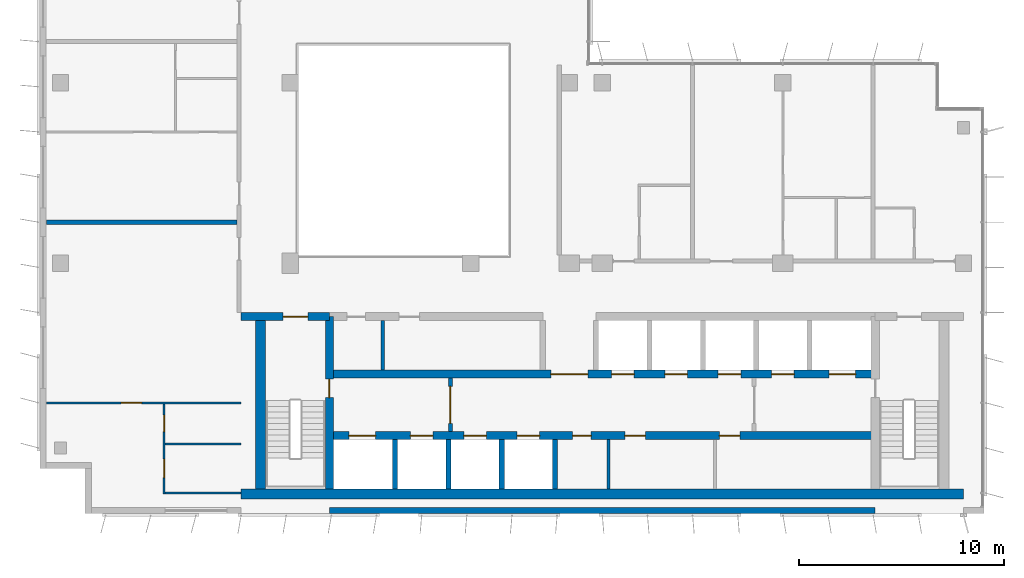
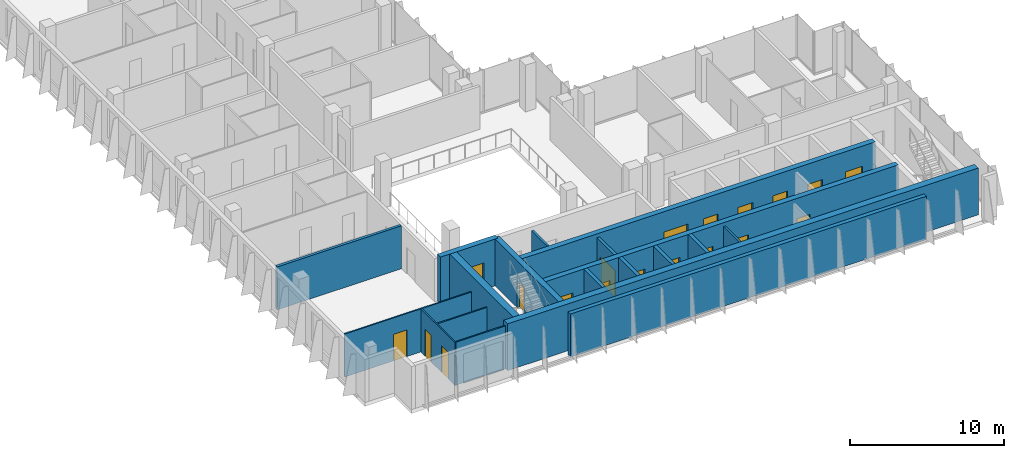
# One storey, part 9 of 16: 19 doors, 19 walls, 19 openings.
"""IFC4 building model written with IfcOpenShell, lengths in metres."""

from ifc_helpers import new_model, si_unit, direction, frame, frame_2d, origin, place, context, subcontext, project, spatial, rectangle, extrude, material, layer, layer_set, type_object, element, fill, save


model = new_model("IFC4")

# Units and contexts
model_context = context("Model", 3, precision=1e-05, world=origin(), true_north=direction((0.0, 1.0)))
body_context = subcontext(model_context, "Body", "Model", "MODEL_VIEW")
ifc_project = project(units=[si_unit("LENGTHUNIT", "METRE"), si_unit("AREAUNIT", "SQUARE_METRE"), si_unit("VOLUMEUNIT", "CUBIC_METRE"), si_unit("PLANEANGLEUNIT", "RADIAN"), si_unit("MASSUNIT", "GRAM", prefix="KILO")], contexts=[model_context])

# Site, building, storey
site_placement = place(None, origin())
site = spatial("IfcSite", under=ifc_project, at=site_placement, CompositionType="ELEMENT")
building_placement = place(site_placement, origin())
building = spatial("IfcBuilding", under=site, at=building_placement, Name="Kemantara Hotel Tower", CompositionType="ELEMENT")
storey_placement = place(building_placement, frame((0.0, 0.0, 287.0)))
storey = spatial("IfcBuildingStorey", under=building, at=storey_placement, Name="L72", CompositionType="ELEMENT", Elevation=287.0)

# Walls
ifc_material_1 = material(Name="Bronze anodised aluminium cladding on insulated steel stud wall", Category="steel")
ifc_layer_1 = layer(ifc_material_1, 0.300048828125)
ifc_layer_set_1 = layer_set([ifc_layer_1], Name="Bronze anodised aluminium cladding on insulated steel stud wall")
wall_type_1 = type_object("IfcWallType", Name="BRONZE METAL-CLAD EXTERNAL WALL 300", PredefinedType="STANDARD", material=ifc_layer_set_1)
wall_1_placement = place(storey_placement, frame((14.10009765625, 0.14990234375, 0.0), z_axis=(0.0, 0.0, 1.0), x_axis=(1.0, 0.0, 0.0)))
element("IfcWall", 1, at=wall_1_placement, inside=storey, type_object=wall_type_1, Name="EXTERNAL WALL L72 T4-R08-2", PredefinedType="STANDARD", context=body_context, shape_type="SweptSolid", body=[
    extrude(rectangle(XDim=26.599853515625, YDim=0.300048828125, at=frame_2d((13.2998046875, 0.0))), origin(), (0.0, 0.0, 1.0), 3.39990234375),
])
ifc_material_2 = material(Name="Concrete fc 50 MPa", Category="concrete")
ifc_layer_2 = layer(ifc_material_2, 0.25)
ifc_layer_set_2 = layer_set([ifc_layer_2], Name="Concrete fc 50 MPa")
wall_type_2 = type_object("IfcWallType", Name="CORE WALL 250 FC50", PredefinedType="SHEAR", material=ifc_layer_set_2)
for number, where, z_axis, x_axis, name in (
    (2, (17.300048828125, 1.199951171875, 0.0), (0.0, 0.0, 1.0), (0.0, 1.0, 0.0), "CORE WALL CW-DS17.3"),
    (3, (19.89990234375, 1.199951171875, 0.0), (0.0, 0.0, 1.0), (0.0, 1.0, 0.0), "CORE WALL CW-DS19.9"),
    (4, (22.5, 1.199951171875, 0.0), (0.0, 0.0, 1.0), (0.0, 1.0, 0.0), "CORE WALL CW-DS22.5"),
    (5, (25.10009765625, 1.199951171875, 0.0), (0.0, 0.0, 1.0), (0.0, 1.0, 0.0), "CORE WALL CW-DS25.1"),
):
    element("IfcWall", number, at=place(storey_placement, frame(where, z_axis=z_axis, x_axis=x_axis)), inside=storey, type_object=wall_type_2, Name=name, PredefinedType="SHEAR", context=body_context, shape_type="SweptSolid", body=[
        extrude(rectangle(XDim=2.400146484375, YDim=0.25, at=frame_2d((1.2001953125, 0.0))), origin(), (0.0, 0.0, 1.0), 3.699951171875),
    ])

# Wall, opening, door
ifc_layer_3 = layer(ifc_material_2, 0.39990234375)
ifc_layer_set_3 = layer_set([ifc_layer_3], Name="Concrete fc 50 MPa")
wall_type_3 = type_object("IfcWallType", Name="CORE WALL 400 FC50", PredefinedType="SHEAR", material=ifc_layer_set_3)
wall_2_placement = place(storey_placement, frame((9.800048828125, 9.60009765625, 0.0), z_axis=(0.0, 0.0, 1.0), x_axis=(1.0, 0.0, 0.0)))
wall_2 = element("IfcWall", 6, at=wall_2_placement, inside=storey, type_object=wall_type_3, Name="CORE WALL CW-N1", PredefinedType="SHEAR", context=body_context, shape_type="SweptSolid", body=[
    extrude(rectangle(XDim=4.300048828125, YDim=0.39990234375, at=frame_2d((2.14990234375, 0.0))), origin(), (0.0, 0.0, 1.0), 3.699951171875),
])
opening_1_placement = place(wall_2_placement, frame((2.050048828125, 0.0, 0.0)))
opening_1 = element("IfcOpeningElement", 7, at=opening_1_placement, cuts=wall_2, Name="Opening C41-ST1-C", PredefinedType="OPENING", context=body_context, shape_type="SweptSolid", body=[
    extrude(rectangle(XDim=1.199951171875, YDim=2.10009765625, at=frame_2d((0.60009765625, 1.050048828125))), frame((0.0, 0.2099609375, 0.0), z_axis=(0.0, -1.0, 0.0), x_axis=(1.0, 0.0, 0.0)), (0.0, 0.0, 1.0), 0.419921875),
])
ifc_material_3 = material(Name="Steel fire door", Category="steel")
door_type_1 = type_object("IfcDoorType", Name="Fire door FD90 1200 x 2100", OperationType="NOTDEFINED", PredefinedType="DOOR", material=ifc_material_3)
door_1_placement = place(opening_1_placement, frame((1.199951171875, 0.0, 0.0), z_axis=(0.0, 0.0, 1.0), x_axis=(-1.0, 0.0, 0.0)))
door_1 = element("IfcDoor", 8, at=door_1_placement, inside=storey, type_object=door_type_1, Name="Stair ST1 door to corridor", OperationType="SINGLE_SWING_LEFT", OverallHeight=2.10009765625, OverallWidth=1.199951171875, PredefinedType="DOOR", context=body_context, shape_type="SweptSolid", body=[
    extrude(rectangle(XDim=1.199951171875, YDim=2.10009765625, at=frame_2d((0.60009765625, 1.050048828125))), frame((0.0, 0.02490234375, 0.0), z_axis=(0.0, -1.0, 0.0), x_axis=(1.0, 0.0, 0.0)), (0.0, 0.0, 1.0), 0.050048828125),
])
fill(opening_1, door_1)

# Wall, openings, doors
wall_3_placement = place(storey_placement, frame((14.10009765625, 3.800048828125, 0.0), z_axis=(0.0, 0.0, 1.0), x_axis=(1.0, 0.0, 0.0)))
wall_3 = element("IfcWall", 9, at=wall_3_placement, inside=storey, type_object=wall_type_3, Name="CORE WALL CW-L1", PredefinedType="SHEAR", context=body_context, shape_type="SweptSolid", body=[
    extrude(rectangle(XDim=26.599853515625, YDim=0.39990234375, at=frame_2d((13.2998046875, 0.0))), origin(), (0.0, 0.0, 1.0), 3.699951171875),
])
opening_2_placement = place(wall_3_placement, frame((0.949951171875, 0.0, 0.0)))
opening_2 = element("IfcOpeningElement", 10, at=opening_2_placement, cuts=wall_3, Name="Opening C41-LD-FF1", PredefinedType="OPENING", context=body_context, shape_type="SweptSolid", body=[
    extrude(rectangle(XDim=1.300048828125, YDim=2.10009765625, at=frame_2d((0.64990234375, 1.050048828125))), frame((0.0, 0.2099609375, 0.0), z_axis=(0.0, -1.0, 0.0), x_axis=(1.0, 0.0, 0.0)), (0.0, 0.0, 1.0), 0.419921875),
])
opening_3_placement = place(wall_3_placement, frame((3.949951171875, 0.0, 0.0)))
opening_3 = element("IfcOpeningElement", 11, at=opening_3_placement, cuts=wall_3, Name="Opening C41-LD-SV1", PredefinedType="OPENING", context=body_context, shape_type="SweptSolid", body=[
    extrude(rectangle(XDim=1.10009765625, YDim=2.10009765625, at=frame_2d((0.550048828125, 1.050048828125))), frame((0.0, 0.2099609375, 0.0), z_axis=(0.0, -1.0, 0.0), x_axis=(1.0, 0.0, 0.0)), (0.0, 0.0, 1.0), 0.419921875),
])
opening_4_placement = place(wall_3_placement, frame((6.550048828125, 0.0, 0.0)))
opening_4 = element("IfcOpeningElement", 12, at=opening_4_placement, cuts=wall_3, Name="Opening C41-LD-SV2", PredefinedType="OPENING", context=body_context, shape_type="SweptSolid", body=[
    extrude(rectangle(XDim=1.10009765625, YDim=2.10009765625, at=frame_2d((0.550048828125, 1.050048828125))), frame((0.0, 0.2099609375, 0.0), z_axis=(0.0, -1.0, 0.0), x_axis=(1.0, 0.0, 0.0)), (0.0, 0.0, 1.0), 0.419921875),
])
opening_5_placement = place(wall_3_placement, frame((9.14990234375, 0.0, 0.0)))
opening_5 = element("IfcOpeningElement", 13, at=opening_5_placement, cuts=wall_3, Name="Opening C41-LD-SV3", PredefinedType="OPENING", context=body_context, shape_type="SweptSolid", body=[
    extrude(rectangle(XDim=1.10009765625, YDim=2.10009765625, at=frame_2d((0.550048828125, 1.050048828125))), frame((0.0, 0.2099609375, 0.0), z_axis=(0.0, -1.0, 0.0), x_axis=(1.0, 0.0, 0.0)), (0.0, 0.0, 1.0), 0.419921875),
])
opening_6_placement = place(wall_3_placement, frame((11.85009765625, 0.0, 0.0)))
opening_6 = element("IfcOpeningElement", 14, at=opening_6_placement, cuts=wall_3, Name="Opening C41-R-SM1", PredefinedType="OPENING", context=body_context, shape_type="SweptSolid", body=[
    extrude(rectangle(XDim=0.89990234375, YDim=2.10009765625, at=frame_2d((0.449951171875, 1.050048828125))), frame((0.0, 0.2099609375, 0.0), z_axis=(0.0, -1.0, 0.0), x_axis=(1.0, 0.0, 0.0)), (0.0, 0.0, 1.0), 0.419921875),
])
opening_7_placement = place(wall_3_placement, frame((14.39990234375, 0.0, 0.0)))
opening_7 = element("IfcOpeningElement", 15, at=opening_7_placement, cuts=wall_3, Name="Opening C41-R-SM2", PredefinedType="OPENING", context=body_context, shape_type="SweptSolid", body=[
    extrude(rectangle(XDim=1.0, YDim=2.10009765625, at=frame_2d((0.5, 1.050048828125))), frame((0.0, 0.2099609375, 0.0), z_axis=(0.0, -1.0, 0.0), x_axis=(1.0, 0.0, 0.0)), (0.0, 0.0, 1.0), 0.419921875),
])
opening_8_placement = place(wall_3_placement, frame((19.0, 0.0, 0.0)))
opening_8 = element("IfcOpeningElement", 16, at=opening_8_placement, cuts=wall_3, Name="Opening C41-R-SM3", PredefinedType="OPENING", context=body_context, shape_type="SweptSolid", body=[
    extrude(rectangle(XDim=1.0, YDim=2.10009765625, at=frame_2d((0.5, 1.050048828125))), frame((0.0, 0.2099609375, 0.0), z_axis=(0.0, -1.0, 0.0), x_axis=(1.0, 0.0, 0.0)), (0.0, 0.0, 1.0), 0.419921875),
])
door_type_2 = type_object("IfcDoorType", Name="Fire door FD30S 1000 x 2100", OperationType="NOTDEFINED", PredefinedType="DOOR", material=ifc_material_3)
door_2_placement = place(opening_7_placement, frame((1.0, 0.0, 0.0), z_axis=(0.0, 0.0, 1.0), x_axis=(-1.0, 0.0, 0.0)))
door_2 = element("IfcDoor", 17, at=door_2_placement, inside=storey, type_object=door_type_2, Name="Staff Lounge door", OperationType="SINGLE_SWING_LEFT", OverallHeight=2.10009765625, OverallWidth=1.0, PredefinedType="DOOR", context=body_context, shape_type="SweptSolid", body=[
    extrude(rectangle(XDim=1.0, YDim=2.10009765625, at=frame_2d((0.5, 1.050048828125))), frame((0.0, 0.02490234375, 0.0), z_axis=(0.0, -1.0, 0.0), x_axis=(1.0, 0.0, 0.0)), (0.0, 0.0, 1.0), 0.050048828125),
])
fill(opening_7, door_2)
door_3_placement = place(opening_8_placement, frame((1.0, 0.0, 0.0), z_axis=(0.0, 0.0, 1.0), x_axis=(-1.0, 0.0, 0.0)))
door_3 = element("IfcDoor", 18, at=door_3_placement, inside=storey, type_object=door_type_2, Name="Linen Store door", OperationType="SINGLE_SWING_LEFT", OverallHeight=2.10009765625, OverallWidth=1.0, PredefinedType="DOOR", context=body_context, shape_type="SweptSolid", body=[
    extrude(rectangle(XDim=1.0, YDim=2.10009765625, at=frame_2d((0.5, 1.050048828125))), frame((0.0, 0.02490234375, 0.0), z_axis=(0.0, -1.0, 0.0), x_axis=(1.0, 0.0, 0.0)), (0.0, 0.0, 1.0), 0.050048828125),
])
fill(opening_8, door_3)
door_type_3 = type_object("IfcDoorType", Name="Fire door FD60 900 x 2100", OperationType="NOTDEFINED", PredefinedType="DOOR", material=ifc_material_3)
door_4_placement = place(opening_6_placement, frame((0.89990234375, 0.0, 0.0), z_axis=(0.0, 0.0, 1.0), x_axis=(-1.0, 0.0, 0.0)))
door_4 = element("IfcDoor", 19, at=door_4_placement, inside=storey, type_object=door_type_3, Name="Electrical Riser Room door", OperationType="SINGLE_SWING_RIGHT", OverallHeight=2.10009765625, OverallWidth=0.89990234375, PredefinedType="DOOR", context=body_context, shape_type="SweptSolid", body=[
    extrude(rectangle(XDim=0.89990234375, YDim=2.10009765625, at=frame_2d((0.449951171875, 1.050048828125))), frame((0.0, 0.02490234375, 0.0), z_axis=(0.0, -1.0, 0.0), x_axis=(1.0, 0.0, 0.0)), (0.0, 0.0, 1.0), 0.050048828125),
])
fill(opening_6, door_4)
ifc_material_4 = material(Name="Stainless steel lift door", Category="steel")
door_type_4 = type_object("IfcDoorType", Name="Lift landing door 1100 x 2100 FD60", OperationType="DOUBLE_DOOR_SLIDING", PredefinedType="DOOR", material=ifc_material_4)
door_5_placement = place(opening_3_placement, origin())
door_5 = element("IfcDoor", 20, at=door_5_placement, inside=storey, type_object=door_type_4, Name="Lift SV1 landing door", OperationType="DOUBLE_DOOR_SLIDING", OverallHeight=2.10009765625, OverallWidth=1.10009765625, PredefinedType="DOOR", context=body_context, shape_type="SweptSolid", body=[
    extrude(rectangle(XDim=1.10009765625, YDim=2.10009765625, at=frame_2d((0.550048828125, 1.050048828125))), frame((0.0, 0.02490234375, 0.0), z_axis=(0.0, -1.0, 0.0), x_axis=(1.0, 0.0, 0.0)), (0.0, 0.0, 1.0), 0.050048828125),
])
fill(opening_3, door_5)
door_6_placement = place(opening_4_placement, origin())
door_6 = element("IfcDoor", 21, at=door_6_placement, inside=storey, type_object=door_type_4, Name="Lift SV2 landing door", OperationType="DOUBLE_DOOR_SLIDING", OverallHeight=2.10009765625, OverallWidth=1.10009765625, PredefinedType="DOOR", context=body_context, shape_type="SweptSolid", body=[
    extrude(rectangle(XDim=1.10009765625, YDim=2.10009765625, at=frame_2d((0.550048828125, 1.050048828125))), frame((0.0, 0.02490234375, 0.0), z_axis=(0.0, -1.0, 0.0), x_axis=(1.0, 0.0, 0.0)), (0.0, 0.0, 1.0), 0.050048828125),
])
fill(opening_4, door_6)
door_7_placement = place(opening_5_placement, origin())
door_7 = element("IfcDoor", 22, at=door_7_placement, inside=storey, type_object=door_type_4, Name="Lift SV3 landing door", OperationType="DOUBLE_DOOR_SLIDING", OverallHeight=2.10009765625, OverallWidth=1.10009765625, PredefinedType="DOOR", context=body_context, shape_type="SweptSolid", body=[
    extrude(rectangle(XDim=1.10009765625, YDim=2.10009765625, at=frame_2d((0.550048828125, 1.050048828125))), frame((0.0, 0.02490234375, 0.0), z_axis=(0.0, -1.0, 0.0), x_axis=(1.0, 0.0, 0.0)), (0.0, 0.0, 1.0), 0.050048828125),
])
fill(opening_5, door_7)
door_type_5 = type_object("IfcDoorType", Name="Lift landing door 1300 x 2100 FD90", OperationType="DOUBLE_DOOR_SLIDING", PredefinedType="DOOR", material=ifc_material_4)
door_8_placement = place(opening_2_placement, origin())
door_8 = element("IfcDoor", 23, at=door_8_placement, inside=storey, type_object=door_type_5, Name="Lift FF1 landing door", OperationType="DOUBLE_DOOR_SLIDING", OverallHeight=2.10009765625, OverallWidth=1.300048828125, PredefinedType="DOOR", context=body_context, shape_type="SweptSolid", body=[
    extrude(rectangle(XDim=1.300048828125, YDim=2.10009765625, at=frame_2d((0.64990234375, 1.050048828125))), frame((0.0, 0.02490234375, 0.0), z_axis=(0.0, -1.0, 0.0), x_axis=(1.0, 0.0, 0.0)), (0.0, 0.0, 1.0), 0.050048828125),
])
fill(opening_2, door_8)

wall_4_placement = place(storey_placement, frame((14.10009765625, 6.800048828125, 0.0), z_axis=(0.0, 0.0, 1.0), x_axis=(1.0, 0.0, 0.0)))
wall_4 = element("IfcWall", 24, at=wall_4_placement, inside=storey, type_object=wall_type_3, Name="CORE WALL CW-L2", PredefinedType="SHEAR", context=body_context, shape_type="SweptSolid", body=[
    extrude(rectangle(XDim=26.599853515625, YDim=0.39990234375, at=frame_2d((13.2998046875, 0.0))), origin(), (0.0, 0.0, 1.0), 3.699951171875),
])
opening_9_placement = place(wall_4_placement, frame((10.800048828125, 0.0, 0.0)))
opening_9 = element("IfcOpeningElement", 25, at=opening_9_placement, cuts=wall_4, Name="Opening C41-VL", PredefinedType="OPENING", context=body_context, shape_type="SweptSolid", body=[
    extrude(rectangle(XDim=1.800048828125, YDim=2.10009765625, at=frame_2d((0.89990234375, 1.050048828125))), frame((0.0, 0.2099609375, 0.0), z_axis=(0.0, -1.0, 0.0), x_axis=(1.0, 0.0, 0.0)), (0.0, 0.0, 1.0), 0.419921875),
])
opening_10_placement = place(wall_4_placement, frame((13.75, 0.0, 0.0)))
opening_10 = element("IfcOpeningElement", 26, at=opening_10_placement, cuts=wall_4, Name="Opening C41-LD-HR1", PredefinedType="OPENING", context=body_context, shape_type="SweptSolid", body=[
    extrude(rectangle(XDim=1.10009765625, YDim=2.10009765625, at=frame_2d((0.550048828125, 1.050048828125))), frame((0.0, 0.2099609375, 0.0), z_axis=(0.0, -1.0, 0.0), x_axis=(1.0, 0.0, 0.0)), (0.0, 0.0, 1.0), 0.419921875),
])
opening_11_placement = place(wall_4_placement, frame((16.35009765625, 0.0, 0.0)))
opening_11 = element("IfcOpeningElement", 27, at=opening_11_placement, cuts=wall_4, Name="Opening C41-LD-HR2", PredefinedType="OPENING", context=body_context, shape_type="SweptSolid", body=[
    extrude(rectangle(XDim=1.10009765625, YDim=2.10009765625, at=frame_2d((0.550048828125, 1.050048828125))), frame((0.0, 0.2099609375, 0.0), z_axis=(0.0, -1.0, 0.0), x_axis=(1.0, 0.0, 0.0)), (0.0, 0.0, 1.0), 0.419921875),
])
opening_12_placement = place(wall_4_placement, frame((18.949951171875, 0.0, 0.0)))
opening_12 = element("IfcOpeningElement", 28, at=opening_12_placement, cuts=wall_4, Name="Opening C41-LD-HR3", PredefinedType="OPENING", context=body_context, shape_type="SweptSolid", body=[
    extrude(rectangle(XDim=1.10009765625, YDim=2.10009765625, at=frame_2d((0.550048828125, 1.050048828125))), frame((0.0, 0.2099609375, 0.0), z_axis=(0.0, -1.0, 0.0), x_axis=(1.0, 0.0, 0.0)), (0.0, 0.0, 1.0), 0.419921875),
])
opening_13_placement = place(wall_4_placement, frame((21.550048828125, 0.0, 0.0)))
opening_13 = element("IfcOpeningElement", 29, at=opening_13_placement, cuts=wall_4, Name="Opening C41-LD-HR4", PredefinedType="OPENING", context=body_context, shape_type="SweptSolid", body=[
    extrude(rectangle(XDim=1.10009765625, YDim=2.10009765625, at=frame_2d((0.550048828125, 1.050048828125))), frame((0.0, 0.2099609375, 0.0), z_axis=(0.0, -1.0, 0.0), x_axis=(1.0, 0.0, 0.0)), (0.0, 0.0, 1.0), 0.419921875),
])
opening_14_placement = place(wall_4_placement, frame((24.35009765625, 0.0, 0.0)))
opening_14 = element("IfcOpeningElement", 30, at=opening_14_placement, cuts=wall_4, Name="Opening C41-LD-FF2", PredefinedType="OPENING", context=body_context, shape_type="SweptSolid", body=[
    extrude(rectangle(XDim=1.300048828125, YDim=2.10009765625, at=frame_2d((0.64990234375, 1.050048828125))), frame((0.0, 0.2099609375, 0.0), z_axis=(0.0, -1.0, 0.0), x_axis=(1.0, 0.0, 0.0)), (0.0, 0.0, 1.0), 0.419921875),
])
door_type_6 = type_object("IfcDoorType", Name="Fire door pair FD60 1800 x 2100", OperationType="DOUBLE_DOOR_SINGLE_SWING", PredefinedType="DOOR", material=ifc_material_3)
door_9_placement = place(opening_9_placement, frame((1.800048828125, 0.0, 0.0), z_axis=(0.0, 0.0, 1.0), x_axis=(-1.0, 0.0, 0.0)))
door_9 = element("IfcDoor", 31, at=door_9_placement, inside=storey, type_object=door_type_6, Name="Lift lobby entry door", OperationType="DOUBLE_DOOR_SINGLE_SWING", OverallHeight=2.10009765625, OverallWidth=1.800048828125, PredefinedType="DOOR", context=body_context, shape_type="SweptSolid", body=[
    extrude(rectangle(XDim=1.800048828125, YDim=2.10009765625, at=frame_2d((0.89990234375, 1.050048828125))), frame((0.0, 0.02490234375, 0.0), z_axis=(0.0, -1.0, 0.0), x_axis=(1.0, 0.0, 0.0)), (0.0, 0.0, 1.0), 0.050048828125),
])
fill(opening_9, door_9)
door_10_placement = place(opening_10_placement, origin())
door_10 = element("IfcDoor", 32, at=door_10_placement, inside=storey, type_object=door_type_4, Name="Lift HR1 landing door", OperationType="DOUBLE_DOOR_SLIDING", OverallHeight=2.10009765625, OverallWidth=1.10009765625, PredefinedType="DOOR", context=body_context, shape_type="SweptSolid", body=[
    extrude(rectangle(XDim=1.10009765625, YDim=2.10009765625, at=frame_2d((0.550048828125, 1.050048828125))), frame((0.0, 0.02490234375, 0.0), z_axis=(0.0, -1.0, 0.0), x_axis=(1.0, 0.0, 0.0)), (0.0, 0.0, 1.0), 0.050048828125),
])
fill(opening_10, door_10)
door_11_placement = place(opening_11_placement, origin())
door_11 = element("IfcDoor", 33, at=door_11_placement, inside=storey, type_object=door_type_4, Name="Lift HR2 landing door", OperationType="DOUBLE_DOOR_SLIDING", OverallHeight=2.10009765625, OverallWidth=1.10009765625, PredefinedType="DOOR", context=body_context, shape_type="SweptSolid", body=[
    extrude(rectangle(XDim=1.10009765625, YDim=2.10009765625, at=frame_2d((0.550048828125, 1.050048828125))), frame((0.0, 0.02490234375, 0.0), z_axis=(0.0, -1.0, 0.0), x_axis=(1.0, 0.0, 0.0)), (0.0, 0.0, 1.0), 0.050048828125),
])
fill(opening_11, door_11)
door_12_placement = place(opening_12_placement, origin())
door_12 = element("IfcDoor", 34, at=door_12_placement, inside=storey, type_object=door_type_4, Name="Lift HR3 landing door", OperationType="DOUBLE_DOOR_SLIDING", OverallHeight=2.10009765625, OverallWidth=1.10009765625, PredefinedType="DOOR", context=body_context, shape_type="SweptSolid", body=[
    extrude(rectangle(XDim=1.10009765625, YDim=2.10009765625, at=frame_2d((0.550048828125, 1.050048828125))), frame((0.0, 0.02490234375, 0.0), z_axis=(0.0, -1.0, 0.0), x_axis=(1.0, 0.0, 0.0)), (0.0, 0.0, 1.0), 0.050048828125),
])
fill(opening_12, door_12)
door_13_placement = place(opening_13_placement, origin())
door_13 = element("IfcDoor", 35, at=door_13_placement, inside=storey, type_object=door_type_4, Name="Lift HR4 landing door", OperationType="DOUBLE_DOOR_SLIDING", OverallHeight=2.10009765625, OverallWidth=1.10009765625, PredefinedType="DOOR", context=body_context, shape_type="SweptSolid", body=[
    extrude(rectangle(XDim=1.10009765625, YDim=2.10009765625, at=frame_2d((0.550048828125, 1.050048828125))), frame((0.0, 0.02490234375, 0.0), z_axis=(0.0, -1.0, 0.0), x_axis=(1.0, 0.0, 0.0)), (0.0, 0.0, 1.0), 0.050048828125),
])
fill(opening_13, door_13)
door_14_placement = place(opening_14_placement, origin())
door_14 = element("IfcDoor", 36, at=door_14_placement, inside=storey, type_object=door_type_5, Name="Lift FF2 landing door", OperationType="DOUBLE_DOOR_SLIDING", OverallHeight=2.10009765625, OverallWidth=1.300048828125, PredefinedType="DOOR", context=body_context, shape_type="SweptSolid", body=[
    extrude(rectangle(XDim=1.300048828125, YDim=2.10009765625, at=frame_2d((0.64990234375, 1.050048828125))), frame((0.0, 0.02490234375, 0.0), z_axis=(0.0, -1.0, 0.0), x_axis=(1.0, 0.0, 0.0)), (0.0, 0.0, 1.0), 0.050048828125),
])
fill(opening_14, door_14)

# Wall, opening, door
wall_5_placement = place(storey_placement, frame((14.10009765625, 1.199951171875, 0.0), z_axis=(0.0, 0.0, 1.0), x_axis=(0.0, 1.0, 0.0)))
wall_5 = element("IfcWall", 37, at=wall_5_placement, inside=storey, type_object=wall_type_3, Name="CORE WALL CW-ST1E", PredefinedType="SHEAR", context=body_context, shape_type="SweptSolid", body=[
    extrude(rectangle(XDim=8.400146484375, YDim=0.39990234375, at=frame_2d((4.2001953125, 0.0))), origin(), (0.0, 0.0, 1.0), 3.699951171875),
])
opening_15_placement = place(wall_5_placement, frame((4.449951171875, 0.0, 0.0)))
opening_15 = element("IfcOpeningElement", 38, at=opening_15_placement, cuts=wall_5, Name="Opening C41-ST1-F", PredefinedType="OPENING", context=body_context, shape_type="SweptSolid", body=[
    extrude(rectangle(XDim=0.89990234375, YDim=2.10009765625, at=frame_2d((0.449951171875, 1.050048828125))), frame((0.0, 0.2099609375, 0.0), z_axis=(0.0, -1.0, 0.0), x_axis=(1.0, 0.0, 0.0)), (0.0, 0.0, 1.0), 0.419921875),
])
door_type_7 = type_object("IfcDoorType", Name="Fire door FD90 900 x 2100", OperationType="NOTDEFINED", PredefinedType="DOOR", material=ifc_material_3)
door_15_placement = place(opening_15_placement, origin())
door_15 = element("IfcDoor", 39, at=door_15_placement, inside=storey, type_object=door_type_7, Name="Stair ST1 door to firefighting lobby", OperationType="SINGLE_SWING_RIGHT", OverallHeight=2.10009765625, OverallWidth=0.89990234375, PredefinedType="DOOR", context=body_context, shape_type="SweptSolid", body=[
    extrude(rectangle(XDim=0.89990234375, YDim=2.10009765625, at=frame_2d((0.449951171875, 1.050048828125))), frame((0.0, 0.02490234375, 0.0), z_axis=(0.0, -1.0, 0.0), x_axis=(1.0, 0.0, 0.0)), (0.0, 0.0, 1.0), 0.050048828125),
])
fill(opening_15, door_15)

# Walls
ifc_layer_4 = layer(ifc_material_2, 0.5)
ifc_layer_set_4 = layer_set([ifc_layer_4], Name="Concrete fc 50 MPa")
wall_type_4 = type_object("IfcWallType", Name="CORE WALL 500 FC50", PredefinedType="SHEAR", material=ifc_layer_set_4)
wall_6_placement = place(storey_placement, frame((9.800048828125, 0.949951171875, 0.0), z_axis=(0.0, 0.0, 1.0), x_axis=(1.0, 0.0, 0.0)))
element("IfcWall", 40, at=wall_6_placement, inside=storey, type_object=wall_type_4, Name="CORE WALL CW-S", PredefinedType="SHEAR", context=body_context, shape_type="SweptSolid", body=[
    extrude(rectangle(XDim=35.199951171875, YDim=0.5, at=frame_2d((17.60009765625, 0.0))), origin(), (0.0, 0.0, 1.0), 3.699951171875),
])
wall_7_placement = place(storey_placement, frame((10.75, 1.199951171875, 0.0), z_axis=(0.0, 0.0, 1.0), x_axis=(0.0, 1.0, 0.0)))
element("IfcWall", 41, at=wall_7_placement, inside=storey, type_object=wall_type_4, Name="CORE WALL CW-W", PredefinedType="SHEAR", context=body_context, shape_type="SweptSolid", body=[
    extrude(rectangle(XDim=8.60009765625, YDim=0.5, at=frame_2d((4.300048828125, 0.0))), origin(), (0.0, 0.0, 1.0), 3.699951171875),
])
ifc_material_5 = material(Name="Gypsum board partition, steel studs and mineral wool, 200 mm", Category="steel")
ifc_layer_5 = layer(ifc_material_5, 0.199951171875)
ifc_layer_set_5 = layer_set([ifc_layer_5], Name="Gypsum board partition, steel studs and mineral wool, 200 mm")
wall_type_5 = type_object("IfcWallType", Name="GUEST ROOM PARTY WALL 200", PredefinedType="PARTITIONING", material=ifc_layer_set_5)
wall_8_placement = place(storey_placement, frame((0.31005859375, 14.199951171875, 0.0), z_axis=(0.0, 0.0, 1.0), x_axis=(1.0, 0.0, 0.0)))
element("IfcWall", 42, at=wall_8_placement, inside=storey, type_object=wall_type_5, Name="GUEST ROOM PARTY WALL 200 009", PredefinedType="PARTITIONING", context=body_context, shape_type="SweptSolid", body=[
    extrude(rectangle(XDim=9.2900390625, YDim=0.199951171875, at=frame_2d((4.64501953125, 0.0))), origin(), (0.0, 0.0, 1.0), 3.39990234375),
])
ifc_material_6 = material(Name="Gypsum board partition")
ifc_layer_6 = layer(ifc_material_6, 0.14990234375)
ifc_layer_set_6 = layer_set([ifc_layer_6], Name="Gypsum board partition")
wall_type_6 = type_object("IfcWallType", Name="Gypsum board partition 150 mm", PredefinedType="PARTITIONING", material=ifc_layer_set_6)
wall_9_placement = place(storey_placement, frame((16.699951171875, 7.0, 0.0), z_axis=(0.0, 0.0, 1.0), x_axis=(0.0, 1.0, 0.0)))
element("IfcWall", 43, at=wall_9_placement, inside=storey, type_object=wall_type_6, Name="Core room partition", PredefinedType="PARTITIONING", context=body_context, shape_type="SweptSolid", body=[
    extrude(rectangle(XDim=2.39990234375, YDim=0.14990234375, at=frame_2d((1.199951171875, 0.0))), origin(), (0.0, 0.0, 1.0), 3.39990234375),
])
wall_10_placement = place(storey_placement, frame((27.699951171875, 1.199951171875, 0.0), z_axis=(0.0, 0.0, 1.0), x_axis=(0.0, 1.0, 0.0)))
element("IfcWall", 44, at=wall_10_placement, inside=storey, type_object=wall_type_6, Name="Core room partition", PredefinedType="PARTITIONING", context=body_context, shape_type="SweptSolid", body=[
    extrude(rectangle(XDim=2.400146484375, YDim=0.14990234375, at=frame_2d((1.2001953125, 0.0))), origin(), (0.0, 0.0, 1.0), 3.39990234375),
])

# Wall, opening, door
ifc_material_7 = material(Name="Gypsum board shaft wall")
ifc_layer_7 = layer(ifc_material_7, 0.199951171875)
ifc_layer_set_7 = layer_set([ifc_layer_7], Name="Gypsum board shaft wall")
wall_type_7 = type_object("IfcWallType", Name="Gypsum board shaft wall 200 mm", PredefinedType="PARTITIONING", material=ifc_layer_set_7)
wall_11_placement = place(storey_placement, frame((20.0, 4.0, 0.0), z_axis=(0.0, 0.0, 1.0), x_axis=(0.0, 1.0, 0.0)))
wall_11 = element("IfcWall", 45, at=wall_11_placement, inside=storey, type_object=wall_type_7, Name="Firefighting lobby partition west", PredefinedType="PARTITIONING", context=body_context, shape_type="SweptSolid", body=[
    extrude(rectangle(XDim=2.60009765625, YDim=0.199951171875, at=frame_2d((1.300048828125, 0.0))), origin(), (0.0, 0.0, 1.0), 3.39990234375),
])
opening_16_placement = place(wall_11_placement, frame((0.39990234375, 0.0, 0.0)))
opening_16 = element("IfcOpeningElement", 46, at=opening_16_placement, cuts=wall_11, Name="Opening C41-FFW", PredefinedType="OPENING", context=body_context, shape_type="SweptSolid", body=[
    extrude(rectangle(XDim=1.800048828125, YDim=2.10009765625, at=frame_2d((0.89990234375, 1.050048828125))), frame((0.0, 0.10986328125, 0.0), z_axis=(0.0, -1.0, 0.0), x_axis=(1.0, 0.0, 0.0)), (0.0, 0.0, 1.0), 0.219970703125),
])
door_16_placement = place(opening_16_placement, origin())
door_16 = element("IfcDoor", 47, at=door_16_placement, inside=storey, type_object=door_type_6, Name="Firefighting lobby door west", OperationType="DOUBLE_DOOR_SINGLE_SWING", OverallHeight=2.10009765625, OverallWidth=1.800048828125, PredefinedType="DOOR", context=body_context, shape_type="SweptSolid", body=[
    extrude(rectangle(XDim=1.800048828125, YDim=2.10009765625, at=frame_2d((0.89990234375, 1.050048828125))), frame((0.0, 0.02490234375, 0.0), z_axis=(0.0, -1.0, 0.0), x_axis=(1.0, 0.0, 0.0)), (0.0, 0.0, 1.0), 0.050048828125),
])
fill(opening_16, door_16)

# Wall, openings, doors
ifc_material_8 = material(Name="Gypsum board partition on steel studs, 100 mm", Category="steel")
ifc_layer_8 = layer(ifc_material_8, 0.10009765625)
ifc_layer_set_8 = layer_set([ifc_layer_8], Name="Gypsum board partition on steel studs, 100 mm")
wall_type_8 = type_object("IfcWallType", Name="ROOM PARTITION 100", PredefinedType="PARTITIONING", material=ifc_layer_set_8)
wall_12_placement = place(storey_placement, frame((6.050048828125, 5.35009765625, 0.0), z_axis=(0.0, 0.0, 1.0), x_axis=(0.0, -1.0, 0.0)))
wall_12 = element("IfcWall", 48, at=wall_12_placement, inside=storey, type_object=wall_type_8, Name="ROOM PARTITION 100 031", PredefinedType="PARTITIONING", context=body_context, shape_type="SweptSolid", body=[
    extrude(rectangle(XDim=4.400146484375, YDim=0.10009765625, at=frame_2d((2.2001953125, 0.0))), origin(), (0.0, 0.0, 1.0), 3.39990234375),
])
opening_17_placement = place(wall_12_placement, frame((2.699951171875, 0.0, 0.0)))
opening_17 = element("IfcOpeningElement", 49, at=opening_17_placement, cuts=wall_12, Name="Opening F35-011", PredefinedType="OPENING", context=body_context, shape_type="SweptSolid", body=[
    extrude(rectangle(XDim=0.89990234375, YDim=2.10009765625, at=frame_2d((0.449951171875, 1.050048828125))), frame((0.0, 0.06005859375, 0.0), z_axis=(0.0, -1.0, 0.0), x_axis=(1.0, 0.0, 0.0)), (0.0, 0.0, 1.0), 0.1201171875),
])
opening_18_placement = place(wall_12_placement, frame((0.550048828125, 0.0, 0.0)))
opening_18 = element("IfcOpeningElement", 50, at=opening_18_placement, cuts=wall_12, Name="Opening F35-012", PredefinedType="OPENING", context=body_context, shape_type="SweptSolid", body=[
    extrude(rectangle(XDim=0.800048828125, YDim=2.10009765625, at=frame_2d((0.39990234375, 1.050048828125))), frame((0.0, 0.06005859375, 0.0), z_axis=(0.0, -1.0, 0.0), x_axis=(1.0, 0.0, 0.0)), (0.0, 0.0, 1.0), 0.1201171875),
])
ifc_material_9 = material(Name="Hardwood veneer door leaf with steel frame", Category="steel")
door_type_8 = type_object("IfcDoorType", Name="BATHROOM DOOR 900 X 2100", OperationType="NOTDEFINED", PredefinedType="DOOR", material=ifc_material_9)
door_17_placement = place(opening_17_placement, origin())
door_17 = element("IfcDoor", 51, at=door_17_placement, inside=storey, type_object=door_type_8, Name="BATHROOM DOOR F35-011", OperationType="SINGLE_SWING_LEFT", OverallHeight=2.10009765625, OverallWidth=0.89990234375, PredefinedType="DOOR", context=body_context, shape_type="SweptSolid", body=[
    extrude(rectangle(XDim=0.89990234375, YDim=2.10009765625, at=frame_2d((0.449951171875, 1.050048828125))), frame((0.0, 0.02490234375, 0.0), z_axis=(0.0, -1.0, 0.0), x_axis=(1.0, 0.0, 0.0)), (0.0, 0.0, 1.0), 0.050048828125),
])
fill(opening_17, door_17)
door_type_9 = type_object("IfcDoorType", Name="WARDROBE DOOR 800 X 2100", OperationType="NOTDEFINED", PredefinedType="DOOR", material=ifc_material_9)
door_18_placement = place(opening_18_placement, origin())
door_18 = element("IfcDoor", 52, at=door_18_placement, inside=storey, type_object=door_type_9, Name="WARDROBE DOOR F35-012", OperationType="SINGLE_SWING_LEFT", OverallHeight=2.10009765625, OverallWidth=0.800048828125, PredefinedType="DOOR", context=body_context, shape_type="SweptSolid", body=[
    extrude(rectangle(XDim=0.800048828125, YDim=2.10009765625, at=frame_2d((0.39990234375, 1.050048828125))), frame((0.0, 0.02490234375, 0.0), z_axis=(0.0, -1.0, 0.0), x_axis=(1.0, 0.0, 0.0)), (0.0, 0.0, 1.0), 0.050048828125),
])
fill(opening_18, door_18)

# Wall, opening, door
wall_13_placement = place(storey_placement, frame((9.7998046875, 5.39990234375, 0.0), z_axis=(0.0, 0.0, 1.0), x_axis=(-1.0, 0.0, 0.0)))
wall_13 = element("IfcWall", 53, at=wall_13_placement, inside=storey, type_object=wall_type_8, Name="ROOM PARTITION 100 032", PredefinedType="PARTITIONING", context=body_context, shape_type="SweptSolid", body=[
    extrude(rectangle(XDim=9.48974609375, YDim=0.10009765625, at=frame_2d((4.744873046875, 0.0))), origin(), (0.0, 0.0, 1.0), 3.39990234375),
])
opening_19_placement = place(wall_13_placement, frame((4.849853515625, 0.0, 0.0)))
opening_19 = element("IfcOpeningElement", 54, at=opening_19_placement, cuts=wall_13, Name="Opening F35-010", PredefinedType="OPENING", context=body_context, shape_type="SweptSolid", body=[
    extrude(rectangle(XDim=1.0, YDim=2.10009765625, at=frame_2d((0.5, 1.050048828125))), frame((0.0, 0.06005859375, 0.0), z_axis=(0.0, -1.0, 0.0), x_axis=(1.0, 0.0, 0.0)), (0.0, 0.0, 1.0), 0.1201171875),
])
door_type_10 = type_object("IfcDoorType", Name="INTERNAL DOOR 1000 X 2100", OperationType="NOTDEFINED", PredefinedType="DOOR", material=ifc_material_9)
door_19_placement = place(opening_19_placement, origin())
door_19 = element("IfcDoor", 55, at=door_19_placement, inside=storey, type_object=door_type_10, Name="INTERNAL DOOR F35-010", OperationType="SINGLE_SWING_LEFT", OverallHeight=2.10009765625, OverallWidth=1.0, PredefinedType="DOOR", context=body_context, shape_type="SweptSolid", body=[
    extrude(rectangle(XDim=1.0, YDim=2.10009765625, at=frame_2d((0.5, 1.050048828125))), frame((0.0, 0.02490234375, 0.0), z_axis=(0.0, -1.0, 0.0), x_axis=(1.0, 0.0, 0.0)), (0.0, 0.0, 1.0), 0.050048828125),
])
fill(opening_19, door_19)

# Walls
for number, where, z_axis, x_axis, name in (
    (56, (6.10009765625, 1.0, 0.0), (0.0, 0.0, 1.0), (1.0, 0.0, 0.0), "ROOM PARTITION 100 033"),
    (57, (6.10009765625, 3.39990234375, 0.0), (0.0, 0.0, 1.0), (1.0, 0.0, 0.0), "ROOM PARTITION 100 034"),
):
    element("IfcWall", number, at=place(storey_placement, frame(where, z_axis=z_axis, x_axis=x_axis)), inside=storey, type_object=wall_type_8, Name=name, PredefinedType="PARTITIONING", context=body_context, shape_type="SweptSolid", body=[
        extrude(rectangle(XDim=3.69970703125, YDim=0.10009765625, at=frame_2d((1.849853515625, 0.0))), origin(), (0.0, 0.0, 1.0), 3.39990234375),
    ])

save(model, "model.ifc")
